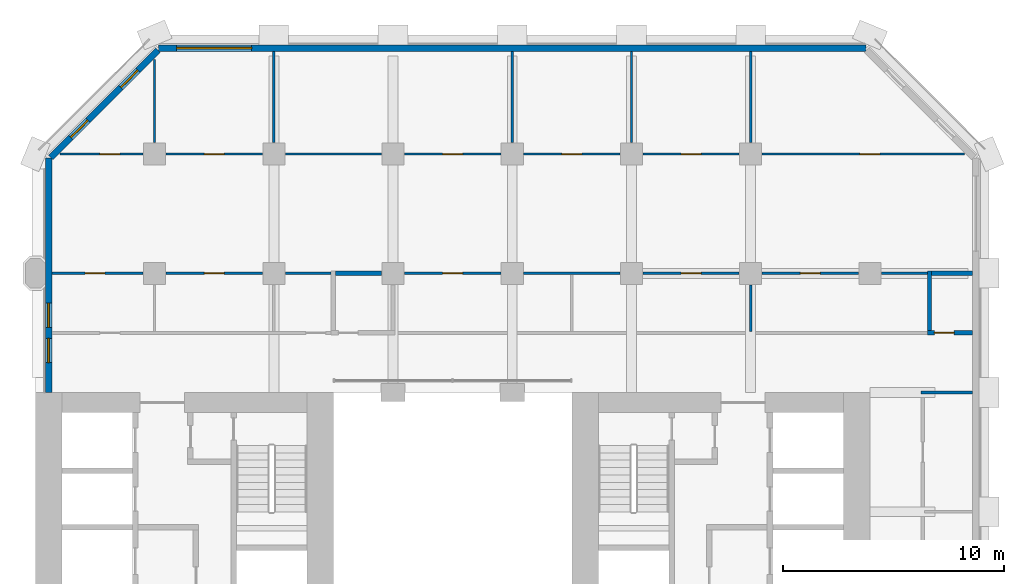
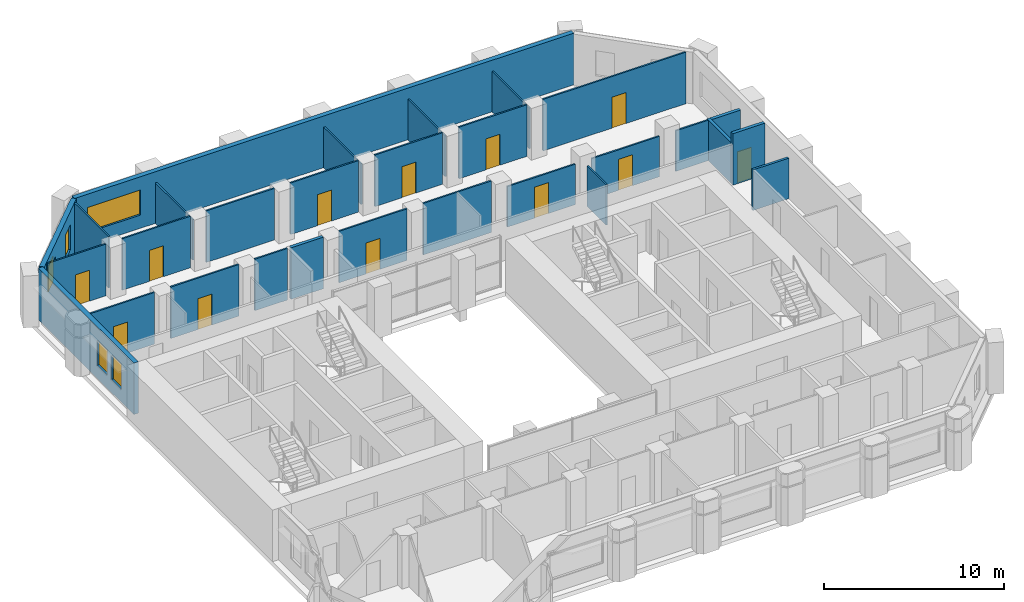
# One storey, part 7 of 10: 29 walls, 12 doors, 5 windows, 17 openings.
"""IFC4 building model written with IfcOpenShell, lengths in metres."""

from ifc_helpers import new_model, si_unit, direction, frame, frame_2d, origin, place, context, subcontext, project, spatial, rectangle, extrude, material, layer, layer_set, type_object, element, fill, save


model = new_model("IFC4")

# Units and contexts
model_context = context("Model", 3, precision=1e-05, world=origin(), true_north=direction((0.0, 1.0)))
body_context = subcontext(model_context, "Body", "Model", "MODEL_VIEW")
ifc_project = project(units=[si_unit("LENGTHUNIT", "METRE"), si_unit("AREAUNIT", "SQUARE_METRE"), si_unit("VOLUMEUNIT", "CUBIC_METRE"), si_unit("PLANEANGLEUNIT", "RADIAN"), si_unit("MASSUNIT", "GRAM", prefix="KILO")], contexts=[model_context])

# Site, building, storey
site_placement = place(None, origin())
site = spatial("IfcSite", under=ifc_project, at=site_placement, CompositionType="ELEMENT")
building_placement = place(site_placement, origin())
building = spatial("IfcBuilding", under=site, at=building_placement, Name="Tabaq Tower and Sports Hall", CompositionType="ELEMENT")
storey_placement = place(building_placement, frame((0.0, 0.0, 68.800048828125)))
storey = spatial("IfcBuildingStorey", under=building, at=storey_placement, Name="L15", CompositionType="ELEMENT", Elevation=68.800048828125)

# Wall, opening, door
ifc_material_1 = material(Name="Blockwork", Category="masonry")
ifc_layer_1 = layer(ifc_material_1, 0.199951171875)
ifc_layer_set_1 = layer_set([ifc_layer_1], Name="Fire compartment wall 200 Blockwork")
wall_type_1 = type_object("IfcWallType", Name="Fire compartment wall 200 Blockwork", PredefinedType="PARTITIONING", material=ifc_layer_set_1)
wall_1_placement = place(storey_placement, frame((45.800048828125, 35.10009765625, 0.0), z_axis=(0.0, 0.0, 1.0), x_axis=(1.0, 0.0, 0.0)))
wall_1 = element("IfcWall", 1, at=wall_1_placement, inside=storey, type_object=wall_type_1, Name="Compartment wall L15", PredefinedType="PARTITIONING", context=body_context, shape_type="SweptSolid", body=[
    extrude(rectangle(XDim=2.049072265625, YDim=0.199951171875, at=frame_2d((1.0244140625, 0.0))), origin(), (0.0, 0.0, 1.0), 3.5),
])
opening_1_placement = place(wall_1_placement, frame((0.320068359375, 0.0, 0.0)))
opening_1 = element("IfcOpeningElement", 2, at=opening_1_placement, cuts=wall_1, Name="Opening L15-003", PredefinedType="OPENING", context=body_context, shape_type="SweptSolid", body=[
    extrude(rectangle(XDim=0.89990234375, YDim=2.10009765625, at=frame_2d((0.449951171875, 1.050048828125))), frame((0.0, 0.10009765625, 0.0), z_axis=(0.0, -1.0, 0.0), x_axis=(1.0, 0.0, 0.0)), (0.0, 0.0, 1.0), 0.199951171875),
])
ifc_material_2 = material(Name="Steel fire door", Category="steel")
door_type_1 = type_object("IfcDoorType", Name="Plant room door 900 right hand", OperationType="SINGLE_SWING_RIGHT", PredefinedType="DOOR", material=ifc_material_2)
door_1_placement = place(opening_1_placement, origin())
door_1 = element("IfcDoor", 3, at=door_1_placement, inside=storey, type_object=door_type_1, Name="Plant room door L15-003", OperationType="SINGLE_SWING_RIGHT", OverallHeight=2.10009765625, OverallWidth=0.89990234375, PredefinedType="DOOR", context=body_context, shape_type="SweptSolid", body=[
    extrude(rectangle(XDim=0.89990234375, YDim=2.10009765625, at=frame_2d((0.449951171875, 1.050048828125))), frame((0.0, 0.02490234375, 0.0), z_axis=(0.0, -1.0, 0.0), x_axis=(1.0, 0.0, 0.0)), (0.0, 0.0, 1.0), 0.050048828125),
])
fill(opening_1, door_1)

# Walls
wall_2_placement = place(storey_placement, frame((21.080078125, 37.800048828125, 0.0), z_axis=(0.0, 0.0, 1.0), x_axis=(-1.0, 0.0, 0.0)))
element("IfcWall", 4, at=wall_2_placement, inside=storey, type_object=wall_type_1, Name="Compartment wall L15", PredefinedType="PARTITIONING", context=body_context, shape_type="SweptSolid", body=[
    extrude(rectangle(XDim=2.080078125, YDim=0.199951171875, at=frame_2d((1.0400390625, 0.0))), origin(), (0.0, 0.0, 1.0), 3.5),
])
wall_3_placement = place(storey_placement, frame((45.89990234375, 35.199951171875, 0.0), z_axis=(0.0, 0.0, 1.0), x_axis=(0.0, 1.0, 0.0)))
element("IfcWall", 5, at=wall_3_placement, inside=storey, type_object=wall_type_1, Name="Compartment wall L15", PredefinedType="PARTITIONING", context=body_context, shape_type="SweptSolid", body=[
    extrude(rectangle(XDim=2.699951171875, YDim=0.199951171875, at=frame_2d((1.35009765625, 0.0))), origin(), (0.0, 0.0, 1.0), 2.75),
])
wall_4_placement = place(storey_placement, frame((46.0, 37.800048828125, 0.0), z_axis=(0.0, 0.0, 1.0), x_axis=(1.0, 0.0, 0.0)))
element("IfcWall", 6, at=wall_4_placement, inside=storey, type_object=wall_type_1, Name="Compartment wall L15", PredefinedType="PARTITIONING", context=body_context, shape_type="SweptSolid", body=[
    extrude(rectangle(XDim=1.84912109375, YDim=0.199951171875, at=frame_2d((0.924560546875, 0.0))), origin(), (0.0, 0.0, 1.0), 2.75),
])

# Wall, opening, door
ifc_material_3 = material(Name="Gypsum board on steel studs", Category="steel")
ifc_layer_2 = layer(ifc_material_3, 0.10009765625)
ifc_layer_set_2 = layer_set([ifc_layer_2], Name="Partition 100 Gypsum board")
wall_type_2 = type_object("IfcWallType", Name="Partition 100 Gypsum board", PredefinedType="PARTITIONING", material=ifc_layer_set_2)
wall_5_placement = place(storey_placement, frame((10.280029296875, 37.800048828125, 0.0), z_axis=(0.0, 0.0, 1.0), x_axis=(-1.0, 0.0, 0.0)))
wall_5 = element("IfcWall", 7, at=wall_5_placement, inside=storey, type_object=wall_type_2, Name="Partition wall L15", PredefinedType="PARTITIONING", context=body_context, shape_type="SweptSolid", body=[
    extrude(rectangle(XDim=4.129150390625, YDim=0.10009765625, at=frame_2d((2.064453125, 0.0))), origin(), (0.0, 0.0, 1.0), 3.5),
])
opening_2_placement = place(wall_5_placement, frame((1.72998046875, 0.0, 0.0)))
opening_2 = element("IfcOpeningElement", 8, at=opening_2_placement, cuts=wall_5, Name="Opening L15-030", PredefinedType="OPENING", context=body_context, shape_type="SweptSolid", body=[
    extrude(rectangle(XDim=0.89990234375, YDim=2.10009765625, at=frame_2d((0.449951171875, 1.050048828125))), frame((0.0, 0.050048828125, 0.0), z_axis=(0.0, -1.0, 0.0), x_axis=(1.0, 0.0, 0.0)), (0.0, 0.0, 1.0), 0.10009765625),
])
ifc_material_4 = material(Name="Timber leaf in steel frame", Category="steel")
door_type_2 = type_object("IfcDoorType", Name="Internal door 900 left hand", OperationType="SINGLE_SWING_LEFT", PredefinedType="DOOR", material=ifc_material_4)
door_2_placement = place(opening_2_placement, origin())
door_2 = element("IfcDoor", 9, at=door_2_placement, inside=storey, type_object=door_type_2, Name="Internal door L15-030", OperationType="SINGLE_SWING_LEFT", OverallHeight=2.10009765625, OverallWidth=0.89990234375, PredefinedType="DOOR", context=body_context, shape_type="SweptSolid", body=[
    extrude(rectangle(XDim=0.89990234375, YDim=2.10009765625, at=frame_2d((0.449951171875, 1.050048828125))), frame((0.0, 0.02490234375, 0.0), z_axis=(0.0, -1.0, 0.0), x_axis=(1.0, 0.0, 0.0)), (0.0, 0.0, 1.0), 0.050048828125),
])
fill(opening_2, door_2)

wall_6_placement = place(storey_placement, frame((15.679931640625, 37.800048828125, 0.0), z_axis=(0.0, 0.0, 1.0), x_axis=(-1.0, 0.0, 0.0)))
wall_6 = element("IfcWall", 10, at=wall_6_placement, inside=storey, type_object=wall_type_2, Name="Partition wall L15", PredefinedType="PARTITIONING", context=body_context, shape_type="SweptSolid", body=[
    extrude(rectangle(XDim=4.35986328125, YDim=0.10009765625, at=frame_2d((2.179931640625, 0.0))), origin(), (0.0, 0.0, 1.0), 3.5),
])
opening_3_placement = place(wall_6_placement, frame((1.72998046875, 0.0, 0.0)))
opening_3 = element("IfcOpeningElement", 11, at=opening_3_placement, cuts=wall_6, Name="Opening L15-013", PredefinedType="OPENING", context=body_context, shape_type="SweptSolid", body=[
    extrude(rectangle(XDim=0.89990234375, YDim=2.10009765625, at=frame_2d((0.449951171875, 1.050048828125))), frame((0.0, 0.050048828125, 0.0), z_axis=(0.0, -1.0, 0.0), x_axis=(1.0, 0.0, 0.0)), (0.0, 0.0, 1.0), 0.10009765625),
])
ifc_material_5 = material(Name="Timber leaf in steel frame", Category="steel")
door_type_3 = type_object("IfcDoorType", Name="Internal door 900 right hand", OperationType="SINGLE_SWING_RIGHT", PredefinedType="DOOR", material=ifc_material_5)
door_3_placement = place(opening_3_placement, origin())
door_3 = element("IfcDoor", 12, at=door_3_placement, inside=storey, type_object=door_type_3, Name="Internal door L15-013", OperationType="SINGLE_SWING_RIGHT", OverallHeight=2.10009765625, OverallWidth=0.89990234375, PredefinedType="DOOR", context=body_context, shape_type="SweptSolid", body=[
    extrude(rectangle(XDim=0.89990234375, YDim=2.10009765625, at=frame_2d((0.449951171875, 1.050048828125))), frame((0.0, 0.02490234375, 0.0), z_axis=(0.0, -1.0, 0.0), x_axis=(1.0, 0.0, 0.0)), (0.0, 0.0, 1.0), 0.050048828125),
])
fill(opening_3, door_3)

# Wall
wall_7_placement = place(storey_placement, frame((18.800048828125, 37.800048828125, 0.0), z_axis=(0.0, 0.0, 1.0), x_axis=(-1.0, 0.0, 0.0)))
element("IfcWall", 13, at=wall_7_placement, inside=storey, type_object=wall_type_2, Name="Partition wall L15", PredefinedType="PARTITIONING", context=body_context, shape_type="SweptSolid", body=[
    extrude(rectangle(XDim=2.080078125, YDim=0.10009765625, at=frame_2d((1.0400390625, 0.0))), origin(), (0.0, 0.0, 1.0), 3.5),
])

# Wall, opening, door
wall_8_placement = place(storey_placement, frame((26.47998046875, 37.800048828125, 0.0), z_axis=(0.0, 0.0, 1.0), x_axis=(-1.0, 0.0, 0.0)))
wall_8 = element("IfcWall", 14, at=wall_8_placement, inside=storey, type_object=wall_type_2, Name="Partition wall L15", PredefinedType="PARTITIONING", context=body_context, shape_type="SweptSolid", body=[
    extrude(rectangle(XDim=4.35986328125, YDim=0.10009765625, at=frame_2d((2.179931640625, 0.0))), origin(), (0.0, 0.0, 1.0), 3.5),
])
opening_4_placement = place(wall_8_placement, frame((1.72998046875, 0.0, 0.0)))
opening_4 = element("IfcOpeningElement", 15, at=opening_4_placement, cuts=wall_8, Name="Opening L15-014", PredefinedType="OPENING", context=body_context, shape_type="SweptSolid", body=[
    extrude(rectangle(XDim=0.89990234375, YDim=2.10009765625, at=frame_2d((0.449951171875, 1.050048828125))), frame((0.0, 0.050048828125, 0.0), z_axis=(0.0, -1.0, 0.0), x_axis=(1.0, 0.0, 0.0)), (0.0, 0.0, 1.0), 0.10009765625),
])
door_4_placement = place(opening_4_placement, origin())
door_4 = element("IfcDoor", 16, at=door_4_placement, inside=storey, type_object=door_type_3, Name="Internal door L15-014", OperationType="SINGLE_SWING_RIGHT", OverallHeight=2.10009765625, OverallWidth=0.89990234375, PredefinedType="DOOR", context=body_context, shape_type="SweptSolid", body=[
    extrude(rectangle(XDim=0.89990234375, YDim=2.10009765625, at=frame_2d((0.449951171875, 1.050048828125))), frame((0.0, 0.02490234375, 0.0), z_axis=(0.0, -1.0, 0.0), x_axis=(1.0, 0.0, 0.0)), (0.0, 0.0, 1.0), 0.050048828125),
])
fill(opening_4, door_4)

# Wall
wall_9_placement = place(storey_placement, frame((37.800048828125, 35.175048828125, 0.0), z_axis=(0.0, 0.0, 1.0), x_axis=(0.0, 1.0, 0.0)))
element("IfcWall", 17, at=wall_9_placement, inside=storey, type_object=wall_type_2, Name="Partition wall L15", PredefinedType="PARTITIONING", context=body_context, shape_type="SweptSolid", body=[
    extrude(rectangle(XDim=2.10498046875, YDim=0.10009765625, at=frame_2d((1.052490234375, 0.0))), origin(), (0.0, 0.0, 1.0), 2.75),
])

# Wall, opening, door
wall_10_placement = place(storey_placement, frame((37.280029296875, 37.800048828125, 0.0), z_axis=(0.0, 0.0, 1.0), x_axis=(-1.0, 0.0, 0.0)))
wall_10 = element("IfcWall", 18, at=wall_10_placement, inside=storey, type_object=wall_type_2, Name="Partition wall L15", PredefinedType="PARTITIONING", context=body_context, shape_type="SweptSolid", body=[
    extrude(rectangle(XDim=4.360107421875, YDim=0.10009765625, at=frame_2d((2.18017578125, 0.0))), origin(), (0.0, 0.0, 1.0), 2.75),
])
opening_5_placement = place(wall_10_placement, frame((1.72998046875, 0.0, 0.0)))
opening_5 = element("IfcOpeningElement", 19, at=opening_5_placement, cuts=wall_10, Name="Opening L15-015", PredefinedType="OPENING", context=body_context, shape_type="SweptSolid", body=[
    extrude(rectangle(XDim=0.89990234375, YDim=2.10009765625, at=frame_2d((0.449951171875, 1.050048828125))), frame((0.0, 0.050048828125, 0.0), z_axis=(0.0, -1.0, 0.0), x_axis=(1.0, 0.0, 0.0)), (0.0, 0.0, 1.0), 0.10009765625),
])
door_5_placement = place(opening_5_placement, origin())
door_5 = element("IfcDoor", 20, at=door_5_placement, inside=storey, type_object=door_type_2, Name="Internal door L15-015", OperationType="SINGLE_SWING_LEFT", OverallHeight=2.10009765625, OverallWidth=0.89990234375, PredefinedType="DOOR", context=body_context, shape_type="SweptSolid", body=[
    extrude(rectangle(XDim=0.89990234375, YDim=2.10009765625, at=frame_2d((0.449951171875, 1.050048828125))), frame((0.0, 0.02490234375, 0.0), z_axis=(0.0, -1.0, 0.0), x_axis=(1.0, 0.0, 0.0)), (0.0, 0.0, 1.0), 0.050048828125),
])
fill(opening_5, door_5)

# Walls
wall_11_placement = place(storey_placement, frame((31.8798828125, 37.800048828125, 0.0), z_axis=(0.0, 0.0, 1.0), x_axis=(-1.0, 0.0, 0.0)))
element("IfcWall", 21, at=wall_11_placement, inside=storey, type_object=wall_type_2, Name="Partition wall L15", PredefinedType="PARTITIONING", context=body_context, shape_type="SweptSolid", body=[
    extrude(rectangle(XDim=4.35986328125, YDim=0.10009765625, at=frame_2d((2.179931640625, 0.0))), origin(), (0.0, 0.0, 1.0), 3.5),
])
wall_12_placement = place(storey_placement, frame((45.800048828125, 37.800048828125, 0.0), z_axis=(0.0, 0.0, 1.0), x_axis=(-1.0, 0.0, 0.0)))
element("IfcWall", 22, at=wall_12_placement, inside=storey, type_object=wall_type_2, Name="Partition wall L15", PredefinedType="PARTITIONING", context=body_context, shape_type="SweptSolid", body=[
    extrude(rectangle(XDim=2.080078125, YDim=0.10009765625, at=frame_2d((1.0400390625, 0.0))), origin(), (0.0, 0.0, 1.0), 2.75),
])

# Wall, opening, door
wall_13_placement = place(storey_placement, frame((42.679931640625, 37.800048828125, 0.0), z_axis=(0.0, 0.0, 1.0), x_axis=(-1.0, 0.0, 0.0)))
wall_13 = element("IfcWall", 23, at=wall_13_placement, inside=storey, type_object=wall_type_2, Name="Partition wall L15", PredefinedType="PARTITIONING", context=body_context, shape_type="SweptSolid", body=[
    extrude(rectangle(XDim=4.35986328125, YDim=0.10009765625, at=frame_2d((2.179931640625, 0.0))), origin(), (0.0, 0.0, 1.0), 2.75),
])
opening_6_placement = place(wall_13_placement, frame((1.72998046875, 0.0, 0.0)))
opening_6 = element("IfcOpeningElement", 24, at=opening_6_placement, cuts=wall_13, Name="Opening L15-016", PredefinedType="OPENING", context=body_context, shape_type="SweptSolid", body=[
    extrude(rectangle(XDim=0.89990234375, YDim=2.10009765625, at=frame_2d((0.449951171875, 1.050048828125))), frame((0.0, 0.050048828125, 0.0), z_axis=(0.0, -1.0, 0.0), x_axis=(1.0, 0.0, 0.0)), (0.0, 0.0, 1.0), 0.10009765625),
])
door_6_placement = place(opening_6_placement, origin())
door_6 = element("IfcDoor", 25, at=door_6_placement, inside=storey, type_object=door_type_2, Name="Internal door L15-016", OperationType="SINGLE_SWING_LEFT", OverallHeight=2.10009765625, OverallWidth=0.89990234375, PredefinedType="DOOR", context=body_context, shape_type="SweptSolid", body=[
    extrude(rectangle(XDim=0.89990234375, YDim=2.10009765625, at=frame_2d((0.449951171875, 1.050048828125))), frame((0.0, 0.02490234375, 0.0), z_axis=(0.0, -1.0, 0.0), x_axis=(1.0, 0.0, 0.0)), (0.0, 0.0, 1.0), 0.050048828125),
])
fill(opening_6, door_6)

wall_14_placement = place(storey_placement, frame((47.48779296875, 43.199951171875, 0.0), z_axis=(0.0, 0.0, 1.0), x_axis=(-1.0, 0.0, 0.0)))
wall_14 = element("IfcWall", 26, at=wall_14_placement, inside=storey, type_object=wall_type_2, Name="Partition wall L15", PredefinedType="PARTITIONING", context=body_context, shape_type="SweptSolid", body=[
    extrude(rectangle(XDim=9.167724609375, YDim=0.10009765625, at=frame_2d((4.583984375, 0.0))), origin(), (0.0, 0.0, 1.0), 3.5),
])
opening_7_placement = place(wall_14_placement, frame((3.837890625, 0.0, 0.0)))
opening_7 = element("IfcOpeningElement", 27, at=opening_7_placement, cuts=wall_14, Name="Opening L15-022", PredefinedType="OPENING", context=body_context, shape_type="SweptSolid", body=[
    extrude(rectangle(XDim=0.89990234375, YDim=2.10009765625, at=frame_2d((0.449951171875, 1.050048828125))), frame((0.0, 0.050048828125, 0.0), z_axis=(0.0, -1.0, 0.0), x_axis=(1.0, 0.0, 0.0)), (0.0, 0.0, 1.0), 0.10009765625),
])
door_7_placement = place(opening_7_placement, origin())
door_7 = element("IfcDoor", 28, at=door_7_placement, inside=storey, type_object=door_type_2, Name="Internal door L15-022", OperationType="SINGLE_SWING_LEFT", OverallHeight=2.10009765625, OverallWidth=0.89990234375, PredefinedType="DOOR", context=body_context, shape_type="SweptSolid", body=[
    extrude(rectangle(XDim=0.89990234375, YDim=2.10009765625, at=frame_2d((0.449951171875, 1.050048828125))), frame((0.0, 0.02490234375, 0.0), z_axis=(0.0, -1.0, 0.0), x_axis=(1.0, 0.0, 0.0)), (0.0, 0.0, 1.0), 0.050048828125),
])
fill(opening_7, door_7)

wall_15_placement = place(storey_placement, frame((37.280029296875, 43.199951171875, 0.0), z_axis=(0.0, 0.0, 1.0), x_axis=(-1.0, 0.0, 0.0)))
wall_15 = element("IfcWall", 29, at=wall_15_placement, inside=storey, type_object=wall_type_2, Name="Partition wall L15", PredefinedType="PARTITIONING", context=body_context, shape_type="SweptSolid", body=[
    extrude(rectangle(XDim=4.360107421875, YDim=0.10009765625, at=frame_2d((2.18017578125, 0.0))), origin(), (0.0, 0.0, 1.0), 3.5),
])
opening_8_placement = place(wall_15_placement, frame((1.72998046875, 0.0, 0.0)))
opening_8 = element("IfcOpeningElement", 30, at=opening_8_placement, cuts=wall_15, Name="Opening L15-021", PredefinedType="OPENING", context=body_context, shape_type="SweptSolid", body=[
    extrude(rectangle(XDim=0.89990234375, YDim=2.10009765625, at=frame_2d((0.449951171875, 1.050048828125))), frame((0.0, 0.050048828125, 0.0), z_axis=(0.0, -1.0, 0.0), x_axis=(1.0, 0.0, 0.0)), (0.0, 0.0, 1.0), 0.10009765625),
])
door_8_placement = place(opening_8_placement, origin())
door_8 = element("IfcDoor", 31, at=door_8_placement, inside=storey, type_object=door_type_2, Name="Internal door L15-021", OperationType="SINGLE_SWING_LEFT", OverallHeight=2.10009765625, OverallWidth=0.89990234375, PredefinedType="DOOR", context=body_context, shape_type="SweptSolid", body=[
    extrude(rectangle(XDim=0.89990234375, YDim=2.10009765625, at=frame_2d((0.449951171875, 1.050048828125))), frame((0.0, 0.02490234375, 0.0), z_axis=(0.0, -1.0, 0.0), x_axis=(1.0, 0.0, 0.0)), (0.0, 0.0, 1.0), 0.050048828125),
])
fill(opening_8, door_8)

wall_16_placement = place(storey_placement, frame((31.8798828125, 43.199951171875, 0.0), z_axis=(0.0, 0.0, 1.0), x_axis=(-1.0, 0.0, 0.0)))
wall_16 = element("IfcWall", 32, at=wall_16_placement, inside=storey, type_object=wall_type_2, Name="Partition wall L15", PredefinedType="PARTITIONING", context=body_context, shape_type="SweptSolid", body=[
    extrude(rectangle(XDim=4.35986328125, YDim=0.10009765625, at=frame_2d((2.179931640625, 0.0))), origin(), (0.0, 0.0, 1.0), 3.5),
])
opening_9_placement = place(wall_16_placement, frame((1.72998046875, 0.0, 0.0)))
opening_9 = element("IfcOpeningElement", 33, at=opening_9_placement, cuts=wall_16, Name="Opening L15-020", PredefinedType="OPENING", context=body_context, shape_type="SweptSolid", body=[
    extrude(rectangle(XDim=0.89990234375, YDim=2.10009765625, at=frame_2d((0.449951171875, 1.050048828125))), frame((0.0, 0.050048828125, 0.0), z_axis=(0.0, -1.0, 0.0), x_axis=(1.0, 0.0, 0.0)), (0.0, 0.0, 1.0), 0.10009765625),
])
door_9_placement = place(opening_9_placement, origin())
door_9 = element("IfcDoor", 34, at=door_9_placement, inside=storey, type_object=door_type_3, Name="Internal door L15-020", OperationType="SINGLE_SWING_RIGHT", OverallHeight=2.10009765625, OverallWidth=0.89990234375, PredefinedType="DOOR", context=body_context, shape_type="SweptSolid", body=[
    extrude(rectangle(XDim=0.89990234375, YDim=2.10009765625, at=frame_2d((0.449951171875, 1.050048828125))), frame((0.0, 0.02490234375, 0.0), z_axis=(0.0, -1.0, 0.0), x_axis=(1.0, 0.0, 0.0)), (0.0, 0.0, 1.0), 0.050048828125),
])
fill(opening_9, door_9)

wall_17_placement = place(storey_placement, frame((26.47998046875, 43.199951171875, 0.0), z_axis=(0.0, 0.0, 1.0), x_axis=(-1.0, 0.0, 0.0)))
wall_17 = element("IfcWall", 35, at=wall_17_placement, inside=storey, type_object=wall_type_2, Name="Partition wall L15", PredefinedType="PARTITIONING", context=body_context, shape_type="SweptSolid", body=[
    extrude(rectangle(XDim=4.35986328125, YDim=0.10009765625, at=frame_2d((2.179931640625, 0.0))), origin(), (0.0, 0.0, 1.0), 3.5),
])
opening_10_placement = place(wall_17_placement, frame((1.72998046875, 0.0, 0.0)))
opening_10 = element("IfcOpeningElement", 36, at=opening_10_placement, cuts=wall_17, Name="Opening L15-019", PredefinedType="OPENING", context=body_context, shape_type="SweptSolid", body=[
    extrude(rectangle(XDim=0.89990234375, YDim=2.10009765625, at=frame_2d((0.449951171875, 1.050048828125))), frame((0.0, 0.050048828125, 0.0), z_axis=(0.0, -1.0, 0.0), x_axis=(1.0, 0.0, 0.0)), (0.0, 0.0, 1.0), 0.10009765625),
])
door_10_placement = place(opening_10_placement, origin())
door_10 = element("IfcDoor", 37, at=door_10_placement, inside=storey, type_object=door_type_3, Name="Internal door L15-019", OperationType="SINGLE_SWING_RIGHT", OverallHeight=2.10009765625, OverallWidth=0.89990234375, PredefinedType="DOOR", context=body_context, shape_type="SweptSolid", body=[
    extrude(rectangle(XDim=0.89990234375, YDim=2.10009765625, at=frame_2d((0.449951171875, 1.050048828125))), frame((0.0, 0.02490234375, 0.0), z_axis=(0.0, -1.0, 0.0), x_axis=(1.0, 0.0, 0.0)), (0.0, 0.0, 1.0), 0.050048828125),
])
fill(opening_10, door_10)

# Wall
wall_18_placement = place(storey_placement, frame((21.080078125, 43.199951171875, 0.0), z_axis=(0.0, 0.0, 1.0), x_axis=(-1.0, 0.0, 0.0)))
element("IfcWall", 38, at=wall_18_placement, inside=storey, type_object=wall_type_2, Name="Partition wall L15", PredefinedType="PARTITIONING", context=body_context, shape_type="SweptSolid", body=[
    extrude(rectangle(XDim=4.360107421875, YDim=0.10009765625, at=frame_2d((2.18017578125, 0.0))), origin(), (0.0, 0.0, 1.0), 3.5),
])

# Wall, opening, door
wall_19_placement = place(storey_placement, frame((15.679931640625, 43.199951171875, 0.0), z_axis=(0.0, 0.0, 1.0), x_axis=(-1.0, 0.0, 0.0)))
wall_19 = element("IfcWall", 39, at=wall_19_placement, inside=storey, type_object=wall_type_2, Name="Partition wall L15", PredefinedType="PARTITIONING", context=body_context, shape_type="SweptSolid", body=[
    extrude(rectangle(XDim=4.35986328125, YDim=0.10009765625, at=frame_2d((2.179931640625, 0.0))), origin(), (0.0, 0.0, 1.0), 3.5),
])
opening_11_placement = place(wall_19_placement, frame((1.72998046875, 0.0, 0.0)))
opening_11 = element("IfcOpeningElement", 40, at=opening_11_placement, cuts=wall_19, Name="Opening L15-018", PredefinedType="OPENING", context=body_context, shape_type="SweptSolid", body=[
    extrude(rectangle(XDim=0.89990234375, YDim=2.10009765625, at=frame_2d((0.449951171875, 1.050048828125))), frame((0.0, 0.050048828125, 0.0), z_axis=(0.0, -1.0, 0.0), x_axis=(1.0, 0.0, 0.0)), (0.0, 0.0, 1.0), 0.10009765625),
])
door_11_placement = place(opening_11_placement, origin())
door_11 = element("IfcDoor", 41, at=door_11_placement, inside=storey, type_object=door_type_3, Name="Internal door L15-018", OperationType="SINGLE_SWING_RIGHT", OverallHeight=2.10009765625, OverallWidth=0.89990234375, PredefinedType="DOOR", context=body_context, shape_type="SweptSolid", body=[
    extrude(rectangle(XDim=0.89990234375, YDim=2.10009765625, at=frame_2d((0.449951171875, 1.050048828125))), frame((0.0, 0.02490234375, 0.0), z_axis=(0.0, -1.0, 0.0), x_axis=(1.0, 0.0, 0.0)), (0.0, 0.0, 1.0), 0.050048828125),
])
fill(opening_11, door_11)

wall_20_placement = place(storey_placement, frame((10.280029296875, 43.199951171875, 0.0), z_axis=(0.0, 0.0, 1.0), x_axis=(-1.0, 0.0, 0.0)))
wall_20 = element("IfcWall", 42, at=wall_20_placement, inside=storey, type_object=wall_type_2, Name="Partition wall L15", PredefinedType="PARTITIONING", context=body_context, shape_type="SweptSolid", body=[
    extrude(rectangle(XDim=3.767822265625, YDim=0.10009765625, at=frame_2d((1.8837890625, 0.0))), origin(), (0.0, 0.0, 1.0), 3.5),
])
opening_12_placement = place(wall_20_placement, frame((1.054931640625, 0.0, 0.0)))
opening_12 = element("IfcOpeningElement", 43, at=opening_12_placement, cuts=wall_20, Name="Opening L15-017", PredefinedType="OPENING", context=body_context, shape_type="SweptSolid", body=[
    extrude(rectangle(XDim=0.89990234375, YDim=2.10009765625, at=frame_2d((0.449951171875, 1.050048828125))), frame((0.0, 0.050048828125, 0.0), z_axis=(0.0, -1.0, 0.0), x_axis=(1.0, 0.0, 0.0)), (0.0, 0.0, 1.0), 0.10009765625),
])
door_12_placement = place(opening_12_placement, origin())
door_12 = element("IfcDoor", 44, at=door_12_placement, inside=storey, type_object=door_type_3, Name="Internal door L15-017", OperationType="SINGLE_SWING_RIGHT", OverallHeight=2.10009765625, OverallWidth=0.89990234375, PredefinedType="DOOR", context=body_context, shape_type="SweptSolid", body=[
    extrude(rectangle(XDim=0.89990234375, YDim=2.10009765625, at=frame_2d((0.449951171875, 1.050048828125))), frame((0.0, 0.02490234375, 0.0), z_axis=(0.0, -1.0, 0.0), x_axis=(1.0, 0.0, 0.0)), (0.0, 0.0, 1.0), 0.050048828125),
])
fill(opening_12, door_12)

# Walls
wall_21_placement = place(storey_placement, frame((10.800048828125, 43.719970703125, 0.0), z_axis=(0.0, 0.0, 1.0), x_axis=(0.0, 1.0, 0.0)))
element("IfcWall", 45, at=wall_21_placement, inside=storey, type_object=wall_type_2, Name="Partition wall L15", PredefinedType="PARTITIONING", context=body_context, shape_type="SweptSolid", body=[
    extrude(rectangle(XDim=3.767822265625, YDim=0.10009765625, at=frame_2d((1.8837890625, 0.0))), origin(), (0.0, 0.0, 1.0), 3.5),
])
for number, where, z_axis, x_axis, name in (
    (46, (16.199951171875, 43.719970703125, 0.0), (0.0, 0.0, 1.0), (0.0, 1.0, 0.0), "Partition wall L15"),
    (47, (27.0, 47.84912109375, 0.0), (0.0, 0.0, 1.0), (0.0, -1.0, 0.0), "Partition wall L15"),
    (48, (32.39990234375, 47.84912109375, 0.0), (0.0, 0.0, 1.0), (0.0, -1.0, 0.0), "Partition wall L15"),
    (49, (37.800048828125, 47.84912109375, 0.0), (0.0, 0.0, 1.0), (0.0, -1.0, 0.0), "Partition wall L15"),
):
    element("IfcWall", number, at=place(storey_placement, frame(where, z_axis=z_axis, x_axis=x_axis)), inside=storey, type_object=wall_type_2, Name=name, PredefinedType="PARTITIONING", context=body_context, shape_type="SweptSolid", body=[
        extrude(rectangle(XDim=4.129150390625, YDim=0.10009765625, at=frame_2d((2.064453125, 0.0))), origin(), (0.0, 0.0, 1.0), 2.75),
    ])
ifc_material_6 = material(Name="Blockwork", Category="masonry")
ifc_layer_3 = layer(ifc_material_6, 0.14990234375)
ifc_layer_set_3 = layer_set([ifc_layer_3], Name="Separating wall 150 Blockwork")
wall_type_3 = type_object("IfcWallType", Name="Separating wall 150 Blockwork", PredefinedType="PARTITIONING", material=ifc_layer_set_3)
wall_22_placement = place(storey_placement, frame((47.84912109375, 32.39990234375, 0.0), z_axis=(0.0, 0.0, 1.0), x_axis=(-1.0, 0.0, 0.0)))
element("IfcWall", 50, at=wall_22_placement, inside=storey, type_object=wall_type_3, Name="Separating wall L15", PredefinedType="PARTITIONING", context=body_context, shape_type="SweptSolid", body=[
    extrude(rectangle(XDim=2.32421875, YDim=0.14990234375, at=frame_2d((1.162109375, 0.0))), origin(), (0.0, 0.0, 1.0), 2.75),
])

# Wall, opening, window
ifc_material_7 = material(Name="White precast concrete C60/75", Category="concrete")
ifc_layer_4 = layer(ifc_material_7, 0.300048828125)
ifc_layer_set_4 = layer_set([ifc_layer_4], Name="White precast concrete C60/75 external wall 300")
wall_type_4 = type_object("IfcWallType", Name="White precast concrete C60/75 external wall 300", PredefinedType="SOLIDWALL", material=ifc_layer_set_4)
wall_23_placement = place(storey_placement, frame((43.013671875, 48.0, 0.0), z_axis=(0.0, 0.0, 1.0), x_axis=(-1.0, 0.0, 0.0)))
wall_23 = element("IfcWall", 51, at=wall_23_placement, inside=storey, type_object=wall_type_4, Name="External Wall L15 N", PredefinedType="SOLIDWALL", context=body_context, shape_type="SweptSolid", body=[
    extrude(rectangle(XDim=32.02734375, YDim=0.300048828125, at=frame_2d((16.013671875, 0.0))), origin(), (0.0, 0.0, 1.0), 3.5),
])
opening_13_placement = place(wall_23_placement, frame((27.813720703125, 0.0, 0.89990234375)))
opening_13 = element("IfcOpeningElement", 52, at=opening_13_placement, cuts=wall_23, Name="Opening W1A", PredefinedType="OPENING", context=body_context, shape_type="SweptSolid", body=[
    extrude(rectangle(XDim=3.39990234375, YDim=1.699951171875, at=frame_2d((1.699951171875, 0.85009765625))), frame((0.0, 0.16015625, 0.0), z_axis=(0.0, -1.0, 0.0), x_axis=(1.0, 0.0, 0.0)), (0.0, 0.0, 1.0), 0.320068359375),
])
ifc_material_8 = material(Name="Aluminium framed clear glazing", Category="aluminium")
window_type_1 = type_object("IfcWindowType", Name="Window W1A", PartitioningType="SINGLE_PANEL", PredefinedType="WINDOW", material=ifc_material_8)
window_1_placement = place(opening_13_placement, origin())
window_1 = element("IfcWindow", 53, at=window_1_placement, inside=storey, type_object=window_type_1, Name="Window W1A L15", OverallHeight=1.699951171875, OverallWidth=3.39990234375, PartitioningType="SINGLE_PANEL", PredefinedType="WINDOW", context=body_context, shape_type="SweptSolid", body=[
    extrude(rectangle(XDim=3.39990234375, YDim=1.699951171875, at=frame_2d((1.699951171875, 0.85009765625))), frame((0.0, 0.030029296875, 0.0), z_axis=(0.0, -1.0, 0.0), x_axis=(1.0, 0.0, 0.0)), (0.0, 0.0, 1.0), 0.06005859375),
])
fill(opening_13, window_1)

# Wall, openings, windows
wall_24_placement = place(storey_placement, frame((10.949462890625, 47.901123046875, 0.0), z_axis=(0.0, 0.0, 1.0), x_axis=(-0.707106781187, -0.707106781187, 0.0)))
wall_24 = element("IfcWall", 54, at=wall_24_placement, inside=storey, type_object=wall_type_4, Name="External Wall L15 NW", PredefinedType="SOLIDWALL", context=body_context, shape_type="SweptSolid", body=[
    extrude(rectangle(XDim=6.85986328125, YDim=0.300048828125, at=frame_2d((3.429931640625, 0.0))), origin(), (0.0, 0.0, 1.0), 3.5),
])
opening_14_placement = place(wall_24_placement, frame((1.27978515625, 0.0, 0.89990234375)))
opening_14 = element("IfcOpeningElement", 55, at=opening_14_placement, cuts=wall_24, Name="Opening W1B", PredefinedType="OPENING", context=body_context, shape_type="SweptSolid", body=[
    extrude(rectangle(XDim=1.10009765625, YDim=1.699951171875, at=frame_2d((0.550048828125, 0.85009765625))), frame((0.0, 0.16015625, 0.0), z_axis=(0.0, -1.0, 0.0), x_axis=(1.0, 0.0, 0.0)), (0.0, 0.0, 1.0), 0.320068359375),
])
opening_15_placement = place(wall_24_placement, frame((4.479736328125, 0.0, 0.89990234375)))
opening_15 = element("IfcOpeningElement", 56, at=opening_15_placement, cuts=wall_24, Name="Opening W1B", PredefinedType="OPENING", context=body_context, shape_type="SweptSolid", body=[
    extrude(rectangle(XDim=1.10009765625, YDim=1.699951171875, at=frame_2d((0.550048828125, 0.85009765625))), frame((0.0, 0.16015625, 0.0), z_axis=(0.0, -1.0, 0.0), x_axis=(1.0, 0.0, 0.0)), (0.0, 0.0, 1.0), 0.320068359375),
])
ifc_material_9 = material(Name="Aluminium framed clear glazing", Category="aluminium")
window_type_2 = type_object("IfcWindowType", Name="Window W1B", PartitioningType="SINGLE_PANEL", PredefinedType="WINDOW", material=ifc_material_9)
window_2_placement = place(opening_14_placement, origin())
window_2 = element("IfcWindow", 57, at=window_2_placement, inside=storey, type_object=window_type_2, Name="Window W1B L15", OverallHeight=1.699951171875, OverallWidth=1.10009765625, PartitioningType="SINGLE_PANEL", PredefinedType="WINDOW", context=body_context, shape_type="SweptSolid", body=[
    extrude(rectangle(XDim=1.10009765625, YDim=1.699951171875, at=frame_2d((0.550048828125, 0.85009765625))), frame((0.0, 0.030029296875, 0.0), z_axis=(0.0, -1.0, 0.0), x_axis=(1.0, 0.0, 0.0)), (0.0, 0.0, 1.0), 0.06005859375),
])
fill(opening_14, window_2)
window_3_placement = place(opening_15_placement, origin())
window_3 = element("IfcWindow", 58, at=window_3_placement, inside=storey, type_object=window_type_2, Name="Window W1B L15", OverallHeight=1.699951171875, OverallWidth=1.10009765625, PartitioningType="SINGLE_PANEL", PredefinedType="WINDOW", context=body_context, shape_type="SweptSolid", body=[
    extrude(rectangle(XDim=1.10009765625, YDim=1.699951171875, at=frame_2d((0.550048828125, 0.85009765625))), frame((0.0, 0.030029296875, 0.0), z_axis=(0.0, -1.0, 0.0), x_axis=(1.0, 0.0, 0.0)), (0.0, 0.0, 1.0), 0.06005859375),
])
fill(opening_15, window_3)

wall_25_placement = place(storey_placement, frame((6.0, 43.013671875, 0.0), z_axis=(0.0, 0.0, 1.0), x_axis=(0.0, -1.0, 0.0)))
wall_25 = element("IfcWall", 59, at=wall_25_placement, inside=storey, type_object=wall_type_4, Name="External Wall L15 W", PredefinedType="SOLIDWALL", context=body_context, shape_type="SweptSolid", body=[
    extrude(rectangle(XDim=10.61376953125, YDim=0.300048828125, at=frame_2d((5.306884765625, 0.0))), origin(), (0.0, 0.0, 1.0), 3.5),
])
opening_16_placement = place(wall_25_placement, frame((6.563720703125, 0.0, 0.89990234375)))
opening_16 = element("IfcOpeningElement", 60, at=opening_16_placement, cuts=wall_25, Name="Opening W1B", PredefinedType="OPENING", context=body_context, shape_type="SweptSolid", body=[
    extrude(rectangle(XDim=1.10009765625, YDim=1.699951171875, at=frame_2d((0.550048828125, 0.85009765625))), frame((0.0, 0.16015625, 0.0), z_axis=(0.0, -1.0, 0.0), x_axis=(1.0, 0.0, 0.0)), (0.0, 0.0, 1.0), 0.320068359375),
])
opening_17_placement = place(wall_25_placement, frame((8.16357421875, 0.0, 0.89990234375)))
opening_17 = element("IfcOpeningElement", 61, at=opening_17_placement, cuts=wall_25, Name="Opening W1B", PredefinedType="OPENING", context=body_context, shape_type="SweptSolid", body=[
    extrude(rectangle(XDim=1.10009765625, YDim=1.699951171875, at=frame_2d((0.550048828125, 0.85009765625))), frame((0.0, 0.16015625, 0.0), z_axis=(0.0, -1.0, 0.0), x_axis=(1.0, 0.0, 0.0)), (0.0, 0.0, 1.0), 0.320068359375),
])
window_4_placement = place(opening_16_placement, origin())
window_4 = element("IfcWindow", 62, at=window_4_placement, inside=storey, type_object=window_type_2, Name="Window W1B L15", OverallHeight=1.699951171875, OverallWidth=1.10009765625, PartitioningType="SINGLE_PANEL", PredefinedType="WINDOW", context=body_context, shape_type="SweptSolid", body=[
    extrude(rectangle(XDim=1.10009765625, YDim=1.699951171875, at=frame_2d((0.550048828125, 0.85009765625))), frame((0.0, 0.030029296875, 0.0), z_axis=(0.0, -1.0, 0.0), x_axis=(1.0, 0.0, 0.0)), (0.0, 0.0, 1.0), 0.06005859375),
])
fill(opening_16, window_4)
window_5_placement = place(opening_17_placement, origin())
window_5 = element("IfcWindow", 63, at=window_5_placement, inside=storey, type_object=window_type_2, Name="Window W1B L15", OverallHeight=1.699951171875, OverallWidth=1.10009765625, PartitioningType="SINGLE_PANEL", PredefinedType="WINDOW", context=body_context, shape_type="SweptSolid", body=[
    extrude(rectangle(XDim=1.10009765625, YDim=1.699951171875, at=frame_2d((0.550048828125, 0.85009765625))), frame((0.0, 0.030029296875, 0.0), z_axis=(0.0, -1.0, 0.0), x_axis=(1.0, 0.0, 0.0)), (0.0, 0.0, 1.0), 0.06005859375),
])
fill(opening_17, window_5)

save(model, "model.ifc")
